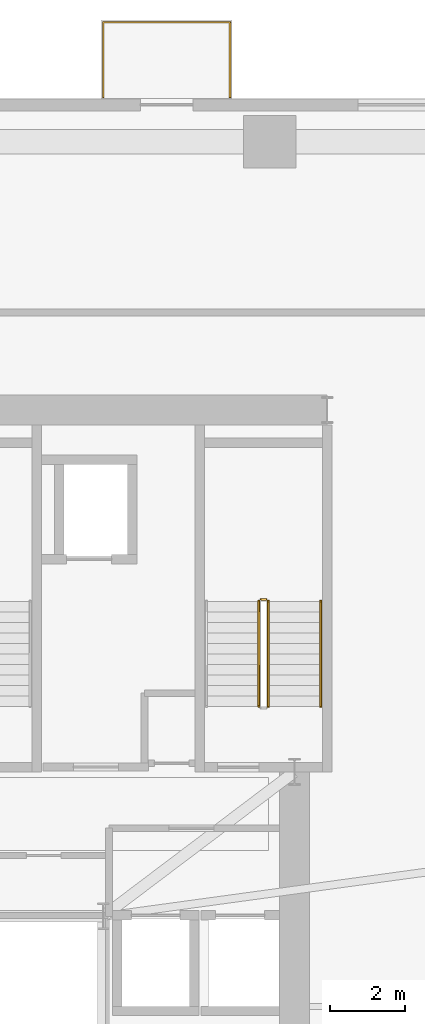
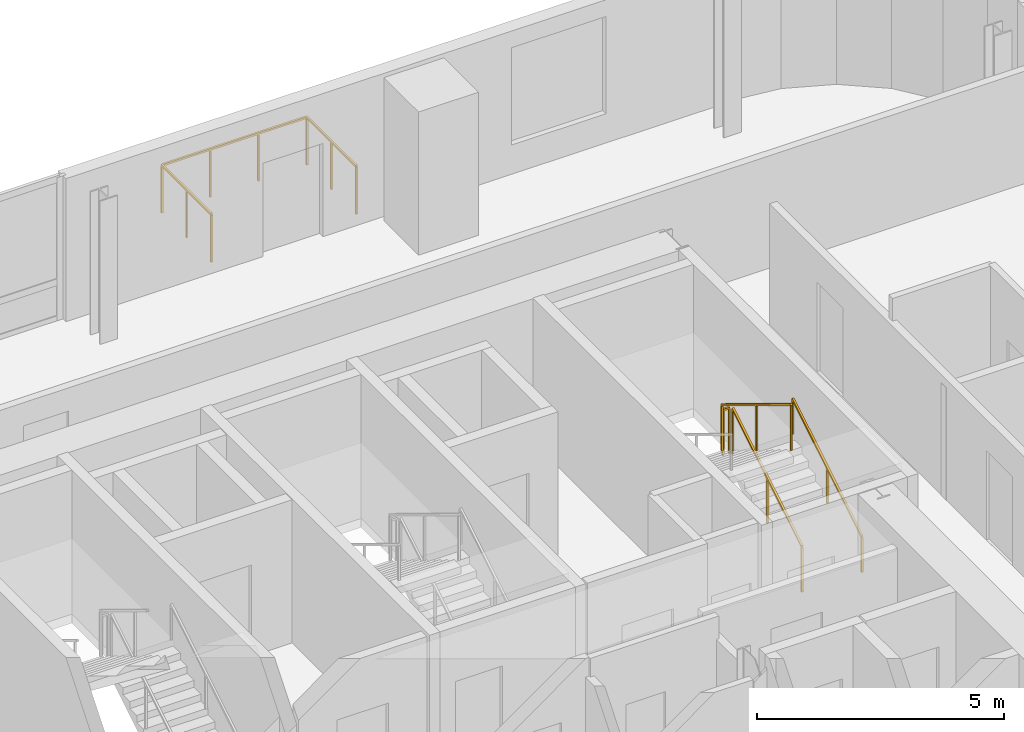
# One storey, part 16 of 16: 5 railings.
"""IFC4 building model written with IfcOpenShell, lengths in metres."""

import ifcopenshell
import ifcopenshell.guid

model = None  # the IFC model being written
_history = None  # IfcOwnerHistory: only IFC2X3 demands one
_inside = {}  # id of a spatial element -> (the spatial element, [elements in it])
_under = {}  # id of a project, library or spatial element -> (it, [spatial elements below it])
_declared = {}  # id of a project -> (the project, [libraries it declares])
_typed = {}  # id of a type object -> (the type object, [elements of that type])
_made_of = {}  # id of a material, layer set ... -> (it, [elements and type objects made of it])


def new_model(schema):
    """Start an empty IFC model of exactly this schema.

    Asked for "IFC4X3", IfcOpenShell would pick the latest addendum, in which some entities
    have other attributes; the version numbers below select the first issue.
    IFC2X3 requires an IfcOwnerHistory on every rooted entity: one is made here for all.
    """
    global model, _history
    if schema == "IFC4X3":
        model = ifcopenshell.file(schema_version=(4, 3, 0, 0))
    else:
        model = ifcopenshell.file(schema=schema)
    _inside.clear()
    _under.clear()
    _declared.clear()
    _typed.clear()
    _made_of.clear()
    _history = None
    if model.schema == "IFC2X3":
        org = make("IfcOrganization", Name="unknown")
        user = make(
            "IfcPersonAndOrganization",
            ThePerson=make("IfcPerson", FamilyName="unknown"),
            TheOrganization=org,
        )
        app = make(
            "IfcApplication",
            ApplicationDeveloper=org,
            Version="unknown",
            ApplicationFullName="unknown",
            ApplicationIdentifier="unknown",
        )
        _history = make(
            "IfcOwnerHistory",
            OwningUser=user,
            OwningApplication=app,
            ChangeAction="ADDED",
            CreationDate=0,
        )
    return model


def make(cls, **values):
    """One entity of the class cls with the attributes given. An attribute that is None is left unset."""
    return model.create_entity(
        cls, **{name: value for name, value in values.items() if value is not None}
    )


def rooted(cls, **values):
    """An entity with a GlobalId (a new one), such as an element, a storey or a relation."""
    return make(cls, GlobalId=ifcopenshell.guid.new(), OwnerHistory=_history, **values)


def si_unit(unit_type, name, prefix=None):
    """IfcSIUnit, for example si_unit("LENGTHUNIT", "METRE", prefix="MILLI")."""
    return make("IfcSIUnit", UnitType=unit_type, Prefix=prefix, Name=name)


def assignment(units):
    """IfcUnitAssignment: the units of a project."""
    return None if units is None else make("IfcUnitAssignment", Units=units)


def point(xyz):
    """IfcCartesianPoint."""
    return None if xyz is None else make("IfcCartesianPoint", Coordinates=xyz)


def direction(xyz):
    """IfcDirection."""
    return None if xyz is None else make("IfcDirection", DirectionRatios=xyz)


def frame(location, z_axis=None, x_axis=None):
    """IfcAxis2Placement3D, a coordinate frame: its origin and axes. An axis left out is left unset."""
    return make(
        "IfcAxis2Placement3D",
        Location=point(location),
        Axis=direction(z_axis),
        RefDirection=direction(x_axis),
    )


def frame_2d(location, x_axis=None):
    """IfcAxis2Placement2D, a coordinate frame in the plane: its origin and x axis."""
    return make(
        "IfcAxis2Placement2D", Location=point(location), RefDirection=direction(x_axis)
    )


def origin():
    """The frame at (0, 0, 0) with its axes left unset."""
    return frame((0.0, 0.0, 0.0))


def origin_2d():
    """The frame at (0, 0) in the plane with its x axis left unset."""
    return frame_2d((0.0, 0.0))


def place(relative_to, where):
    """IfcLocalPlacement: puts the frame where relative to a parent placement (None: the world)."""
    return make(
        "IfcLocalPlacement", PlacementRelTo=relative_to, RelativePlacement=where
    )


def context(
    kind, dimensions, precision=None, world=None, true_north=None, identifier=None
):
    """IfcGeometricRepresentationContext, for example the 3D "Model" context."""
    return make(
        "IfcGeometricRepresentationContext",
        ContextIdentifier=identifier,
        ContextType=kind,
        CoordinateSpaceDimension=dimensions,
        Precision=precision,
        WorldCoordinateSystem=world,
        TrueNorth=true_north,
    )


def subcontext(parent, identifier, kind, view, scale=None):
    """IfcGeometricRepresentationSubContext, for example "Body" below "Model"."""
    return make(
        "IfcGeometricRepresentationSubContext",
        ContextIdentifier=identifier,
        ContextType=kind,
        ParentContext=parent,
        TargetScale=scale,
        TargetView=view,
    )


def project(units=None, contexts=None):
    """IfcProject with its units and contexts."""
    return rooted(
        "IfcProject",
        Name="project",
        RepresentationContexts=contexts,
        UnitsInContext=assignment(units),
    )


def spatial(cls, under=None, at=None, **own):
    """A site, building, storey or space (cls), placed at a placement, below another one or the project."""
    s = rooted(cls, ObjectPlacement=at, **own)
    if under is not None:
        _under.setdefault(under.id(), (under, []))[1].append(s)
    return s


def profile(cls, at=None, kind="AREA", **sizes):
    """A parametric profile (cls). Its sizes go by their IFC names, for example OverallWidth=200.0."""
    return make(cls, ProfileType=kind, Position=at, **sizes)


def rectangle(**sizes):
    """IfcRectangleProfileDef."""
    return profile("IfcRectangleProfileDef", **sizes)


def extrude(swept, where, along, depth):
    """IfcExtrudedAreaSolid: the profile swept, set in the frame where, extruded along a direction by depth."""
    return make(
        "IfcExtrudedAreaSolid",
        SweptArea=swept,
        Position=where,
        ExtrudedDirection=direction(along),
        Depth=depth,
    )


def shape(context_of_items, identifier, shape_type, items):
    """IfcShapeRepresentation: the items that make up one representation, for example the "Body"."""
    return make(
        "IfcShapeRepresentation",
        ContextOfItems=context_of_items,
        RepresentationIdentifier=identifier,
        RepresentationType=shape_type,
        Items=items,
    )


def source(mapping_origin, context_of_items, identifier, shape_type, items):
    """IfcRepresentationMap: a shape defined once, which mapped items show again and again."""
    return make(
        "IfcRepresentationMap",
        MappingOrigin=mapping_origin,
        MappedRepresentation=shape(context_of_items, identifier, shape_type, items),
    )


def transform(
    local_origin,
    x_axis=None,
    y_axis=None,
    z_axis=None,
    scale=None,
    scale2=None,
    scale3=None,
    uniform=True,
):
    """IfcCartesianTransformationOperator3D, or its non-uniform kind. x_axis, y_axis, z_axis: its Axis1, 2, 3."""
    if uniform:
        return make(
            "IfcCartesianTransformationOperator3D",
            Axis1=direction(x_axis),
            Axis2=direction(y_axis),
            LocalOrigin=point(local_origin),
            Scale=scale,
            Axis3=direction(z_axis),
        )
    return make(
        "IfcCartesianTransformationOperator3DnonUniform",
        Axis1=direction(x_axis),
        Axis2=direction(y_axis),
        LocalOrigin=point(local_origin),
        Scale=scale,
        Axis3=direction(z_axis),
        Scale2=scale2,
        Scale3=scale3,
    )


def mapped(mapping_source, mapping_target):
    """IfcMappedItem: shows the shape of a source again, moved by a transform."""
    return make(
        "IfcMappedItem", MappingSource=mapping_source, MappingTarget=mapping_target
    )


def material(Name=None, Category=None):
    """IfcMaterial."""
    return make("IfcMaterial", Name=Name, Category=Category)


def made_of(thing, what):
    """Note that an element or type object is made of a material, layer set ...; save() writes the relation."""
    if what is not None:
        _made_of.setdefault(what.id(), (what, []))[1].append(thing)
    return thing


def type_object(cls, material=None, **own):
    """A type object (cls), such as IfcWallType, which elements share."""
    return made_of(rooted(cls, **own), material)


def element(
    cls,
    number,
    at=None,
    inside=None,
    cuts=None,
    type_object=None,
    material=None,
    context=None,
    identifier="Body",
    shape_type=None,
    held_by="IfcProductDefinitionShape",
    body=None,
    shapes=None,
    **own,
):
    """One element of the class cls, such as IfcWall. Its Tag is "e" and its number.

    at: its placement. inside: the storey or other place that contains it. cuts: it is an
    opening in that element (IfcRelVoidsElement). A single representation is given by context,
    identifier, shape_type and body (its items); several are given by shapes. held_by: the class
    of the entity that holds the representations. save() writes the other relations.
    """
    e = rooted(cls, Tag="e%d" % number, ObjectPlacement=at, **own)
    if body is not None:
        shapes = [shape(context, identifier, shape_type, body)]
    if shapes is not None:
        e.Representation = make(held_by, Representations=shapes)
    if inside is not None:
        _inside.setdefault(inside.id(), (inside, []))[1].append(e)
    if cuts is not None:
        rooted(
            "IfcRelVoidsElement", RelatingBuildingElement=cuts, RelatedOpeningElement=e
        )
    if type_object is not None:
        _typed.setdefault(type_object.id(), (type_object, []))[1].append(e)
    return made_of(e, material)


def aggregate(whole, parts):
    """IfcRelAggregates: a whole, such as a stair, and the parts it consists of."""
    return rooted("IfcRelAggregates", RelatingObject=whole, RelatedObjects=parts)


def save(model, path):
    """Write the relations noted so far, then the file.

    IfcRelAggregates (storeys below a building ...), IfcRelContainedInSpatialStructure (elements
    in a storey), IfcRelDefinesByType, IfcRelAssociatesMaterial and IfcRelDeclares: one each for
    every whole, place, type object, material and project.
    """
    for whole, parts in _under.values():
        aggregate(whole, parts)
    for where, things in _inside.values():
        rooted(
            "IfcRelContainedInSpatialStructure",
            RelatedElements=things,
            RelatingStructure=where,
        )
    for kind, things in _typed.values():
        rooted("IfcRelDefinesByType", RelatedObjects=things, RelatingType=kind)
    for what, things in _made_of.values():
        rooted("IfcRelAssociatesMaterial", RelatedObjects=things, RelatingMaterial=what)
    for by, libraries in _declared.values():
        rooted("IfcRelDeclares", RelatingContext=by, RelatedDefinitions=libraries)
    model.write(path)


model = new_model("IFC4")

# Units and contexts
model_context = context("Model", 3, precision=1e-05, world=origin(), true_north=direction((0.0, 1.0)))
body_context = subcontext(model_context, "Body", "Model", "MODEL_VIEW")
ifc_project = project(units=[si_unit("LENGTHUNIT", "METRE"), si_unit("AREAUNIT", "SQUARE_METRE"), si_unit("VOLUMEUNIT", "CUBIC_METRE"), si_unit("PLANEANGLEUNIT", "RADIAN"), si_unit("MASSUNIT", "GRAM", prefix="KILO")], contexts=[model_context])

# Site, building, storey
site_placement = place(None, origin())
site = spatial("IfcSite", under=ifc_project, at=site_placement, CompositionType="ELEMENT")
building_placement = place(site_placement, origin())
building = spatial("IfcBuilding", under=site, at=building_placement, Name="Vardaveli Station Tower", CompositionType="ELEMENT")
storey_placement = place(building_placement, frame((0.0, 0.0, 184.800048828125)))
storey = spatial("IfcBuildingStorey", under=building, at=storey_placement, Name="L47", CompositionType="ELEMENT", Elevation=184.800048828125)

# Railings
ifc_material_1 = material(Name="Laminated glass and stainless steel balustrade", Category="steel")
railing_type_1 = type_object("IfcRailingType", Name="RL-BAL-1200", PredefinedType="BALUSTRADE", material=ifc_material_1)
shared_shape_1 = source(origin(), body_context, "Body", "SweptSolid", [
    extrude(rectangle(XDim=0.048095703125, YDim=0.048095703125, at=origin_2d()), frame((0.0, 0.0, 1.17578125), z_axis=(0.0, 1.0, 0.0), x_axis=(-1.0, 0.0, 0.0)), (0.0, 0.0, 1.0), 2.0),
    extrude(rectangle(XDim=0.048095703125, YDim=0.048095703125, at=origin_2d()), frame((0.0, 2.0, 1.17578125), z_axis=(1.0, 0.0, 0.0), x_axis=(0.0, 1.0, 0.0)), (0.0, 0.0, 1.0), 3.3798828125),
    extrude(rectangle(XDim=0.048095703125, YDim=0.048095703125, at=origin_2d()), frame((3.3798828125, 2.0, 1.17578125), z_axis=(0.0, -1.0, 0.0), x_axis=(1.0, 0.0, 0.0)), (0.0, 0.0, 1.0), 2.0),
    extrude(rectangle(XDim=0.0419921875, YDim=0.0419921875, at=origin_2d()), origin(), (0.0, 0.0, 1.0), 1.15185546875),
    extrude(rectangle(XDim=0.0419921875, YDim=0.0419921875, at=origin_2d()), frame((0.0, 1.0, 0.0)), (0.0, 0.0, 1.0), 1.15185546875),
    extrude(rectangle(XDim=0.0419921875, YDim=0.0419921875, at=origin_2d()), frame((0.0, 2.0, 0.0)), (0.0, 0.0, 1.0), 1.15185546875),
    extrude(rectangle(XDim=0.0419921875, YDim=0.0419921875, at=origin_2d()), frame((1.126708984375, 2.0, 0.0)), (0.0, 0.0, 1.0), 1.15185546875),
    extrude(rectangle(XDim=0.0419921875, YDim=0.0419921875, at=origin_2d()), frame((2.253173828125, 2.0, 0.0)), (0.0, 0.0, 1.0), 1.15185546875),
    extrude(rectangle(XDim=0.0419921875, YDim=0.0419921875, at=origin_2d()), frame((3.3798828125, 2.0, 0.0)), (0.0, 0.0, 1.0), 1.15185546875),
    extrude(rectangle(XDim=0.0419921875, YDim=0.0419921875, at=origin_2d()), frame((3.3798828125, 1.0, 0.0)), (0.0, 0.0, 1.0), 1.15185546875),
    extrude(rectangle(XDim=0.0419921875, YDim=0.0419921875, at=origin_2d()), frame((3.3798828125, 0.0, 0.0)), (0.0, 0.0, 1.0), 1.15185546875),
])
railing_1_placement = place(storey_placement, frame((41.399658203125, 48.639892578125, 0.0)))
element("IfcRailing", 1, at=railing_1_placement, inside=storey, type_object=railing_type_1, Name="RL-LOG-L47-02", PredefinedType="BALUSTRADE", context=body_context, shape_type="MappedRepresentation", body=[
    mapped(shared_shape_1, transform((0.0, 0.0, 0.0), scale=1.0)),
])
ifc_material_2 = material(Name="Brushed AISI 316 stainless steel", Category="steel")
railing_type_2 = type_object("IfcRailingType", Name="RL-GUARD-1150", PredefinedType="GUARDRAIL", material=ifc_material_2)
shared_shape_2 = source(origin(), body_context, "Body", "SweptSolid", [
    extrude(rectangle(XDim=0.048095703125, YDim=0.048095703125, at=origin_2d()), frame((0.0, 0.0, 1.1259765625), z_axis=(-1.0, 0.0, 0.0), x_axis=(0.0, -1.0, 0.0)), (0.0, 0.0, 1.0), 0.14990234375),
    extrude(rectangle(XDim=0.0419921875, YDim=0.0419921875, at=origin_2d()), origin(), (0.0, 0.0, 1.0), 1.101806640625),
    extrude(rectangle(XDim=0.0419921875, YDim=0.0419921875, at=origin_2d()), frame((-0.14990234375, 0.0, 0.0)), (0.0, 0.0, 1.0), 1.101806640625),
])
railing_2_placement = place(storey_placement, frame((45.75, 35.25, 1.875)))
element("IfcRailing", 2, at=railing_2_placement, inside=storey, type_object=railing_type_2, Name="L47 ST-3 stair guard 2", PredefinedType="GUARDRAIL", context=body_context, shape_type="MappedRepresentation", body=[
    mapped(shared_shape_2, transform((0.0, 0.0, 0.0), scale=1.0)),
])
shared_shape_3 = source(origin(), body_context, "Body", "SweptSolid", [
    extrude(rectangle(XDim=0.048095703125, YDim=0.048095703125, at=origin_2d()), frame((0.0, 0.0, 1.1259765625), z_axis=(0.0, 0.854169791009, 0.51999420009), x_axis=(-1.0, 0.0, 0.0)), (0.0, 0.0, 1.0), 3.278076171875),
    extrude(rectangle(XDim=0.0419921875, YDim=0.0419921875, at=origin_2d()), origin(), (0.0, 0.0, 1.0), 1.101806640625),
    extrude(rectangle(XDim=0.0419921875, YDim=0.0419921875, at=origin_2d()), frame((0.0, 1.39990234375, 0.852294921875)), (0.0, 0.0, 1.0), 1.101806640625),
    extrude(rectangle(XDim=0.0419921875, YDim=0.0419921875, at=origin_2d()), frame((0.0, 2.800048828125, 1.70458984375)), (0.0, 0.0, 1.0), 1.101806640625),
])
railing_3_placement = place(storey_placement, frame((45.800048828125, 32.39990234375, 0.17041015625)))
element("IfcRailing", 3, at=railing_3_placement, inside=storey, type_object=railing_type_2, Name="L47 ST-3 stair guard 1", PredefinedType="GUARDRAIL", context=body_context, shape_type="MappedRepresentation", body=[
    mapped(shared_shape_3, transform((0.0, 0.0, 0.0), scale=1.0)),
])
shared_shape_4 = source(origin(), body_context, "Body", "SweptSolid", [
    extrude(rectangle(XDim=0.048095703125, YDim=0.048095703125, at=origin_2d()), frame((0.0, 0.0, 1.1259765625), z_axis=(0.0, -0.854169791009, 0.51999420009), x_axis=(1.0, 0.0, 0.0)), (0.0, 0.0, 1.0), 3.278076171875),
    extrude(rectangle(XDim=0.0419921875, YDim=0.0419921875, at=origin_2d()), origin(), (0.0, 0.0, 1.0), 1.101806640625),
    extrude(rectangle(XDim=0.0419921875, YDim=0.0419921875, at=origin_2d()), frame((0.0, -1.39990234375, 0.852294921875)), (0.0, 0.0, 1.0), 1.101806640625),
    extrude(rectangle(XDim=0.0419921875, YDim=0.0419921875, at=origin_2d()), frame((0.0, -2.800048828125, 1.70458984375)), (0.0, 0.0, 1.0), 1.101806640625),
])
railing_4_placement = place(storey_placement, frame((45.550048828125, 35.199951171875, 2.04541015625)))
element("IfcRailing", 4, at=railing_4_placement, inside=storey, type_object=railing_type_2, Name="L47 ST-3 stair guard 3", PredefinedType="GUARDRAIL", context=body_context, shape_type="MappedRepresentation", body=[
    mapped(shared_shape_4, transform((0.0, 0.0, 0.0), scale=1.0)),
])
railing_type_3 = type_object("IfcRailingType", Name="RL-HAND-900", PredefinedType="HANDRAIL", material=ifc_material_2)
shared_shape_5 = source(origin(), body_context, "Body", "SweptSolid", [
    extrude(rectangle(XDim=0.048095703125, YDim=0.048095703125, at=origin_2d()), frame((0.0, 0.0, 0.8759765625), z_axis=(0.0, 0.854169791009, 0.51999420009), x_axis=(-1.0, 0.0, 0.0)), (0.0, 0.0, 1.0), 3.278076171875),
    extrude(rectangle(XDim=0.0419921875, YDim=0.0419921875, at=origin_2d()), origin(), (0.0, 0.0, 1.0), 0.851806640625),
    extrude(rectangle(XDim=0.0419921875, YDim=0.0419921875, at=origin_2d()), frame((0.0, 1.39990234375, 0.852294921875)), (0.0, 0.0, 1.0), 0.851806640625),
    extrude(rectangle(XDim=0.0419921875, YDim=0.0419921875, at=origin_2d()), frame((0.0, 2.800048828125, 1.70458984375)), (0.0, 0.0, 1.0), 0.851806640625),
])
railing_5_placement = place(storey_placement, frame((47.199951171875, 32.39990234375, 0.17041015625)))
element("IfcRailing", 5, at=railing_5_placement, inside=storey, type_object=railing_type_3, Name="L47 ST-3 stair handrail 1", PredefinedType="HANDRAIL", context=body_context, shape_type="MappedRepresentation", body=[
    mapped(shared_shape_5, transform((0.0, 0.0, 0.0), scale=1.0)),
])

save(model, "model.ifc")
